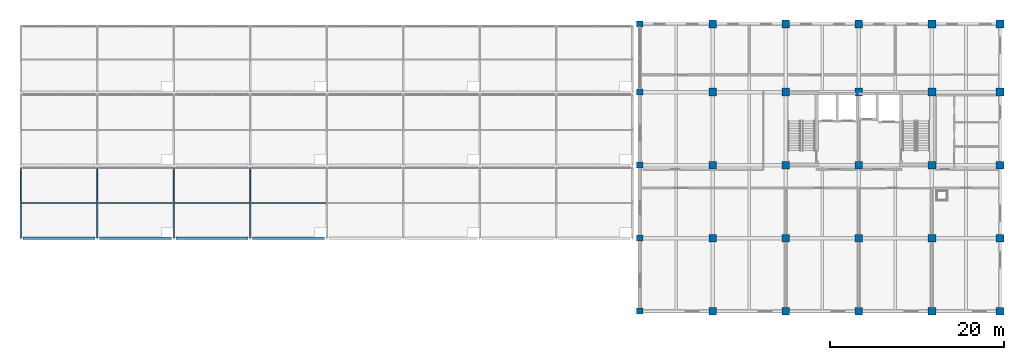
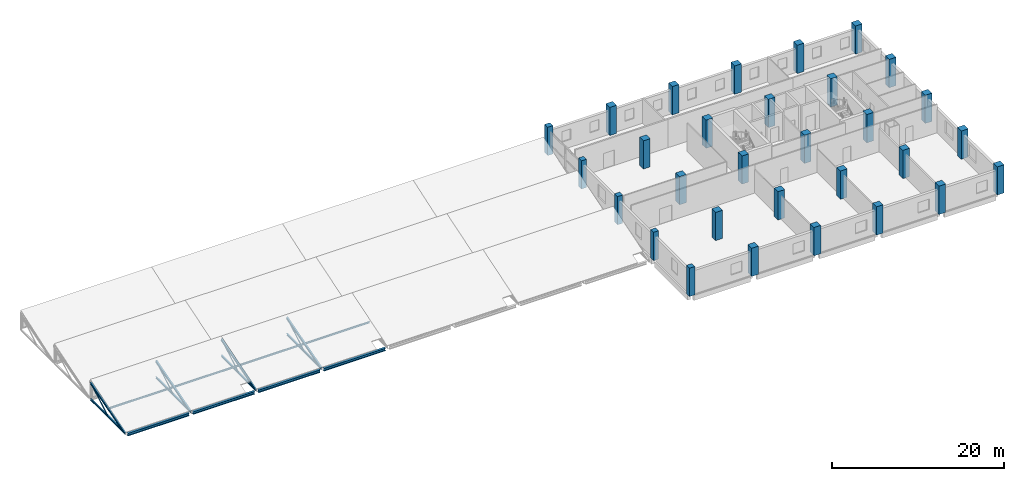
# One storey, part 1 of 40: 30 columns, 16 members, 4 beams.
"""IFC4 building model written with IfcOpenShell, lengths in metres."""

from ifc_helpers import new_model, si_unit, direction, frame, origin, origin_2d, place, context, subcontext, project, spatial, rectangle, hollow_rectangle, i_section, extrude, material, material_profile, profile_set, type_object, element, save


model = new_model("IFC4")

# Units and contexts
model_context = context("Model", 3, precision=1e-05, world=origin(), true_north=direction((0.0, 1.0)))
body_context = subcontext(model_context, "Body", "Model", "MODEL_VIEW")
ifc_project = project(units=[si_unit("LENGTHUNIT", "METRE"), si_unit("AREAUNIT", "SQUARE_METRE"), si_unit("VOLUMEUNIT", "CUBIC_METRE"), si_unit("PLANEANGLEUNIT", "RADIAN"), si_unit("MASSUNIT", "GRAM", prefix="KILO")], contexts=[model_context])

# Site, building, storey
site_placement = place(None, origin())
site = spatial("IfcSite", under=ifc_project, at=site_placement, CompositionType="ELEMENT")
building_placement = place(site_placement, origin())
building = spatial("IfcBuilding", under=site, at=building_placement, Name="Brinegate Botanical Conservatory", CompositionType="ELEMENT")
storey_placement = place(building_placement, frame((0.0, 0.0, 19.199951171875)))
storey = spatial("IfcBuildingStorey", under=building, at=storey_placement, Name="L05", CompositionType="ELEMENT", Elevation=19.199951171875)

# Columns
ifc_material_1 = material(Name="Concrete C50/60", Category="concrete")
ifc_material_profile_1 = material_profile(ifc_material_1, rectangle(XDim=0.699951171875, YDim=0.699951171875, at=origin_2d()), Name="RC COL 700x700")
ifc_profile_set_1 = profile_set([ifc_material_profile_1], Name="Concrete C50/60")
column_type_1 = type_object("IfcColumnType", Name="Col_C-JT", PredefinedType="COLUMN", material=ifc_profile_set_1)
for number, where, z_axis, x_axis, name in (
    (1, (122.0, 78.39990234375, 0.0), (0.0, 0.0, 1.0), (1.0, 0.0, 0.0), "Column C-JT L05 K-16"),
    (2, (122.0, 86.800048828125, 0.0), (0.0, 0.0, 1.0), (1.0, 0.0, 0.0), "Column C-JT L05 L-16"),
    (3, (122.0, 95.199951171875, 0.0), (0.0, 0.0, 1.0), (1.0, 0.0, 0.0), "Column C-JT L05 M-16"),
    (4, (122.0, 103.60009765625, 0.0), (0.0, 0.0, 1.0), (1.0, 0.0, 0.0), "Column C-JT L05 N-16"),
    (5, (122.0, 111.449951171875, 0.0), (0.0, 0.0, 1.0), (1.0, 0.0, 0.0), "Column C-JT L05 P-16"),
):
    element("IfcColumn", number, at=place(storey_placement, frame(where, z_axis=z_axis, x_axis=x_axis)), inside=storey, type_object=column_type_1, Name=name, PredefinedType="COLUMN", context=body_context, shape_type="SweptSolid", body=[
        extrude(rectangle(XDim=0.699951171875, YDim=0.699951171875, at=origin_2d()), origin(), (0.0, 0.0, 1.0), 4.02001953125),
    ])
ifc_material_profile_2 = material_profile(ifc_material_1, rectangle(XDim=0.89990234375, YDim=0.89990234375, at=origin_2d()), Name="RC COL 900x900")
ifc_profile_set_2 = profile_set([ifc_material_profile_2], Name="Concrete C50/60")
column_type_2 = type_object("IfcColumnType", Name="Col_C-T2", PredefinedType="COLUMN", material=ifc_profile_set_2)
for number, where, z_axis, x_axis, name in (
    (6, (130.39990234375, 78.39990234375, 0.0), (0.0, 0.0, 1.0), (1.0, 0.0, 0.0), "Column C-T2 L05 K-17"),
    (7, (130.39990234375, 86.800048828125, 0.0), (0.0, 0.0, 1.0), (1.0, 0.0, 0.0), "Column C-T2 L05 L-17"),
    (8, (130.39990234375, 95.199951171875, 0.0), (0.0, 0.0, 1.0), (1.0, 0.0, 0.0), "Column C-T2 L05 M-17"),
    (9, (130.39990234375, 103.60009765625, 0.0), (0.0, 0.0, 1.0), (1.0, 0.0, 0.0), "Column C-T2 L05 N-17"),
    (10, (130.39990234375, 111.449951171875, 0.0), (0.0, 0.0, 1.0), (1.0, 0.0, 0.0), "Column C-T2 L05 P-17"),
    (11, (138.800048828125, 78.39990234375, 0.0), (0.0, 0.0, 1.0), (1.0, 0.0, 0.0), "Column C-T2 L05 K-18"),
    (12, (138.800048828125, 86.800048828125, 0.0), (0.0, 0.0, 1.0), (1.0, 0.0, 0.0), "Column C-T2 L05 L-18"),
    (13, (138.800048828125, 95.199951171875, 0.0), (0.0, 0.0, 1.0), (1.0, 0.0, 0.0), "Column C-T2 L05 M-18"),
    (14, (138.800048828125, 103.60009765625, 0.0), (0.0, 0.0, 1.0), (1.0, 0.0, 0.0), "Column C-T2 L05 N-18"),
    (15, (138.800048828125, 111.449951171875, 0.0), (0.0, 0.0, 1.0), (1.0, 0.0, 0.0), "Column C-T2 L05 P-18"),
    (16, (147.199951171875, 78.39990234375, 0.0), (0.0, 0.0, 1.0), (1.0, 0.0, 0.0), "Column C-T2 L05 K-19"),
    (17, (147.199951171875, 86.800048828125, 0.0), (0.0, 0.0, 1.0), (1.0, 0.0, 0.0), "Column C-T2 L05 L-19"),
    (18, (147.199951171875, 95.199951171875, 0.0), (0.0, 0.0, 1.0), (1.0, 0.0, 0.0), "Column C-T2 L05 M-19"),
    (19, (147.199951171875, 103.60009765625, 0.0), (0.0, 0.0, 1.0), (1.0, 0.0, 0.0), "Column C-T2 L05 N-19"),
    (20, (147.199951171875, 111.449951171875, 0.0), (0.0, 0.0, 1.0), (1.0, 0.0, 0.0), "Column C-T2 L05 P-19"),
    (21, (155.60009765625, 78.39990234375, 0.0), (0.0, 0.0, 1.0), (1.0, 0.0, 0.0), "Column C-T2 L05 K-20"),
    (22, (155.60009765625, 86.800048828125, 0.0), (0.0, 0.0, 1.0), (1.0, 0.0, 0.0), "Column C-T2 L05 L-20"),
    (23, (155.60009765625, 95.199951171875, 0.0), (0.0, 0.0, 1.0), (1.0, 0.0, 0.0), "Column C-T2 L05 M-20"),
    (24, (155.60009765625, 103.60009765625, 0.0), (0.0, 0.0, 1.0), (1.0, 0.0, 0.0), "Column C-T2 L05 N-20"),
    (25, (155.60009765625, 111.449951171875, 0.0), (0.0, 0.0, 1.0), (1.0, 0.0, 0.0), "Column C-T2 L05 P-20"),
    (26, (163.449951171875, 78.39990234375, 0.0), (0.0, 0.0, 1.0), (1.0, 0.0, 0.0), "Column C-T2 L05 K-21"),
    (27, (163.449951171875, 86.800048828125, 0.0), (0.0, 0.0, 1.0), (1.0, 0.0, 0.0), "Column C-T2 L05 L-21"),
    (28, (163.449951171875, 95.199951171875, 0.0), (0.0, 0.0, 1.0), (1.0, 0.0, 0.0), "Column C-T2 L05 M-21"),
    (29, (163.449951171875, 103.60009765625, 0.0), (0.0, 0.0, 1.0), (1.0, 0.0, 0.0), "Column C-T2 L05 N-21"),
    (30, (163.449951171875, 111.449951171875, 0.0), (0.0, 0.0, 1.0), (1.0, 0.0, 0.0), "Column C-T2 L05 P-21"),
):
    element("IfcColumn", number, at=place(storey_placement, frame(where, z_axis=z_axis, x_axis=x_axis)), inside=storey, type_object=column_type_2, Name=name, PredefinedType="COLUMN", context=body_context, shape_type="SweptSolid", body=[
        extrude(rectangle(XDim=0.89990234375, YDim=0.89990234375, at=origin_2d()), origin(), (0.0, 0.0, 1.0), 4.02001953125),
    ])

# Beams
ifc_material_2 = material(Name="Structural steel Q355B / S355", Category="steel")
ifc_material_profile_3 = material_profile(ifc_material_2, i_section(OverallWidth=0.300048828125, OverallDepth=0.389892578125, WebThickness=0.010009765625, FlangeThickness=0.01611328125, at=origin_2d()), Name="HM 390x300x10x16")
ifc_profile_set_3 = profile_set([ifc_material_profile_3], Name="Structural steel Q355B / S355")
beam_type = type_object("IfcBeamType", Name="Beam_BM-S5", PredefinedType="BEAM", material=ifc_profile_set_3)
beam_1_placement = place(storey_placement, frame((51.050048828125, 86.800048828125, -0.179931640625), z_axis=(1.0, 0.0, 0.0), x_axis=(0.0, 1.0, 0.0)))
element("IfcBeam", 31, at=beam_1_placement, inside=storey, type_object=beam_type, Name="Sawtooth valley girder BM-S5 B1.1", PredefinedType="BEAM", context=body_context, shape_type="SweptSolid", body=[
    extrude(i_section(OverallWidth=0.300048828125, OverallDepth=0.389892578125, WebThickness=0.010009765625, FlangeThickness=0.01611328125, at=origin_2d()), origin(), (0.0, 0.0, 1.0), 8.300048828125),
])
beam_2_placement = place(storey_placement, frame((59.85009765625, 86.800048828125, -0.179931640625), z_axis=(1.0, 0.0, 0.0), x_axis=(0.0, 1.0, 0.0)))
element("IfcBeam", 32, at=beam_2_placement, inside=storey, type_object=beam_type, Name="Sawtooth valley girder BM-S5 B1.2", PredefinedType="BEAM", context=body_context, shape_type="SweptSolid", body=[
    extrude(i_section(OverallWidth=0.300048828125, OverallDepth=0.389892578125, WebThickness=0.010009765625, FlangeThickness=0.01611328125, at=origin_2d()), origin(), (0.0, 0.0, 1.0), 8.2998046875),
])
for number, where, z_axis, x_axis, name in (
    (33, (68.64990234375, 86.800048828125, -0.179931640625), (1.0, 0.0, 0.0), (0.0, 1.0, 0.0), "Sawtooth valley girder BM-S5 B1.3"),
    (34, (77.449951171875, 86.800048828125, -0.179931640625), (1.0, 0.0, 0.0), (0.0, 1.0, 0.0), "Sawtooth valley girder BM-S5 B1.4"),
):
    element("IfcBeam", number, at=place(storey_placement, frame(where, z_axis=z_axis, x_axis=x_axis)), inside=storey, type_object=beam_type, Name=name, PredefinedType="BEAM", context=body_context, shape_type="SweptSolid", body=[
        extrude(i_section(OverallWidth=0.300048828125, OverallDepth=0.389892578125, WebThickness=0.010009765625, FlangeThickness=0.01611328125, at=origin_2d()), origin(), (0.0, 0.0, 1.0), 8.300048828125),
    ])

# Members
ifc_material_profile_4 = material_profile(ifc_material_2, hollow_rectangle(XDim=0.080078125, YDim=0.159912109375, WallThickness=0.006103515625, at=origin_2d()), Name="RHS 160x80x6")
ifc_profile_set_4 = profile_set([ifc_material_profile_4], Name="Structural steel Q355B / S355")
member_type_1 = type_object("IfcMemberType", Name="Member_SB-01", PredefinedType="BRACE", material=ifc_profile_set_4)
for number, where, z_axis, x_axis, name in (
    (35, (50.800048828125, 90.85009765625, 0.02001953125), (0.0, 0.866773050219, 0.498702796678), (-1.0, 0.0, 0.0), "Sawtooth web diagonal SB-01 B1.T1"),
    (36, (59.60009765625, 90.85009765625, 0.02001953125), (0.0, 0.866773050219, 0.498702796678), (-1.0, 0.0, 0.0), "Sawtooth web diagonal SB-01 B1.T2"),
    (37, (68.39990234375, 90.85009765625, 0.02001953125), (0.0, 0.866773050219, 0.498702796678), (-1.0, 0.0, 0.0), "Sawtooth web diagonal SB-01 B1.T3"),
    (38, (77.199951171875, 90.85009765625, 0.02001953125), (0.0, 0.866773050219, 0.498702796678), (-1.0, 0.0, 0.0), "Sawtooth web diagonal SB-01 B1.T4"),
):
    element("IfcMember", number, at=place(storey_placement, frame(where, z_axis=z_axis, x_axis=x_axis)), inside=storey, type_object=member_type_1, Name=name, PredefinedType="BRACE", context=body_context, shape_type="SweptSolid", body=[
        extrude(hollow_rectangle(XDim=0.080078125, YDim=0.159912109375, WallThickness=0.006103515625, at=origin_2d()), origin(), (0.0, 0.0, 1.0), 4.67236328125),
    ])
ifc_material_profile_5 = material_profile(ifc_material_2, i_section(OverallWidth=0.199951171875, OverallDepth=0.2939453125, WebThickness=0.008056640625, FlangeThickness=0.011962890625, at=origin_2d()), Name="HM 294x200x8x12")
ifc_profile_set_5 = profile_set([ifc_material_profile_5], Name="Structural steel Q355B / S355")
member_type_2 = type_object("IfcMemberType", Name="Member_SC-01", PredefinedType="CHORD", material=ifc_profile_set_5)
for number, where, z_axis, x_axis, name in (
    (39, (50.800048828125, 86.800048828125, 0.02001953125), (0.0, 0.961026120246, 0.276457584822), (-1.0, 0.0, 0.0), "Sawtooth rafter chord SC-01 B1.T1"),
    (40, (59.60009765625, 86.800048828125, 0.02001953125), (0.0, 0.961026120246, 0.276457584822), (-1.0, 0.0, 0.0), "Sawtooth rafter chord SC-01 B1.T2"),
    (41, (68.39990234375, 86.800048828125, 0.02001953125), (0.0, 0.961026120246, 0.276457584822), (-1.0, 0.0, 0.0), "Sawtooth rafter chord SC-01 B1.T3"),
    (42, (77.199951171875, 86.800048828125, 0.02001953125), (0.0, 0.961026120246, 0.276457584822), (-1.0, 0.0, 0.0), "Sawtooth rafter chord SC-01 B1.T4"),
):
    element("IfcMember", number, at=place(storey_placement, frame(where, z_axis=z_axis, x_axis=x_axis)), inside=storey, type_object=member_type_2, Name=name, PredefinedType="CHORD", context=body_context, shape_type="SweptSolid", body=[
        extrude(i_section(OverallWidth=0.199951171875, OverallDepth=0.2939453125, WebThickness=0.008056640625, FlangeThickness=0.011962890625, at=origin_2d()), origin(), (0.0, 0.0, 1.0), 8.42822265625),
    ])
ifc_material_profile_6 = material_profile(ifc_material_2, i_section(OverallWidth=0.175048828125, OverallDepth=0.243896484375, WebThickness=0.007080078125, FlangeThickness=0.010986328125, at=origin_2d()), Name="HM 244x175x7x11")
ifc_profile_set_6 = profile_set([ifc_material_profile_6], Name="Structural steel Q355B / S355")
member_type_3 = type_object("IfcMemberType", Name="Member_SC-02", PredefinedType="CHORD", material=ifc_profile_set_6)
for number, where, z_axis, x_axis, name in (
    (43, (50.800048828125, 86.800048828125, 0.02001953125), (0.0, 1.0, 0.0), (-1.0, 0.0, 0.0), "Sawtooth bottom tie SC-02 B1.T1"),
    (44, (59.60009765625, 86.800048828125, 0.02001953125), (0.0, 1.0, 0.0), (-1.0, 0.0, 0.0), "Sawtooth bottom tie SC-02 B1.T2"),
    (45, (68.39990234375, 86.800048828125, 0.02001953125), (0.0, 1.0, 0.0), (-1.0, 0.0, 0.0), "Sawtooth bottom tie SC-02 B1.T3"),
    (46, (77.199951171875, 86.800048828125, 0.02001953125), (0.0, 1.0, 0.0), (-1.0, 0.0, 0.0), "Sawtooth bottom tie SC-02 B1.T4"),
):
    element("IfcMember", number, at=place(storey_placement, frame(where, z_axis=z_axis, x_axis=x_axis)), inside=storey, type_object=member_type_3, Name=name, PredefinedType="CHORD", context=body_context, shape_type="SweptSolid", body=[
        extrude(i_section(OverallWidth=0.175048828125, OverallDepth=0.243896484375, WebThickness=0.007080078125, FlangeThickness=0.010986328125, at=origin_2d()), origin(), (0.0, 0.0, 1.0), 8.099853515625),
    ])
ifc_material_profile_7 = material_profile(ifc_material_2, i_section(OverallWidth=0.125, OverallDepth=0.25, WebThickness=0.006103515625, FlangeThickness=0.009033203125, at=origin_2d()), Name="HN 250x125x6x9")
ifc_profile_set_7 = profile_set([ifc_material_profile_7], Name="Structural steel Q355B / S355")
member_type_4 = type_object("IfcMemberType", Name="Member_SPU-01", PredefinedType="PURLIN", material=ifc_profile_set_7)
member_1_placement = place(storey_placement, frame((50.800048828125, 90.85009765625, 1.094970703125), z_axis=(1.0, 0.0, 0.0), x_axis=(0.0, 1.0, 0.0)))
element("IfcMember", 47, at=member_1_placement, inside=storey, type_object=member_type_4, Name="Sawtooth roof purlin SPU-01 B1.1", PredefinedType="PURLIN", context=body_context, shape_type="SweptSolid", body=[
    extrude(i_section(OverallWidth=0.125, OverallDepth=0.25, WebThickness=0.006103515625, FlangeThickness=0.009033203125, at=origin_2d()), origin(), (0.0, 0.0, 1.0), 8.800048828125),
])
member_2_placement = place(storey_placement, frame((59.60009765625, 90.85009765625, 1.094970703125), z_axis=(1.0, 0.0, 0.0), x_axis=(0.0, 1.0, 0.0)))
element("IfcMember", 48, at=member_2_placement, inside=storey, type_object=member_type_4, Name="Sawtooth roof purlin SPU-01 B1.2", PredefinedType="PURLIN", context=body_context, shape_type="SweptSolid", body=[
    extrude(i_section(OverallWidth=0.125, OverallDepth=0.25, WebThickness=0.006103515625, FlangeThickness=0.009033203125, at=origin_2d()), origin(), (0.0, 0.0, 1.0), 8.7998046875),
])
for number, where, z_axis, x_axis, name in (
    (49, (68.39990234375, 90.85009765625, 1.094970703125), (1.0, 0.0, 0.0), (0.0, 1.0, 0.0), "Sawtooth roof purlin SPU-01 B1.3"),
    (50, (77.199951171875, 90.85009765625, 1.094970703125), (1.0, 0.0, 0.0), (0.0, 1.0, 0.0), "Sawtooth roof purlin SPU-01 B1.4"),
):
    element("IfcMember", number, at=place(storey_placement, frame(where, z_axis=z_axis, x_axis=x_axis)), inside=storey, type_object=member_type_4, Name=name, PredefinedType="PURLIN", context=body_context, shape_type="SweptSolid", body=[
        extrude(i_section(OverallWidth=0.125, OverallDepth=0.25, WebThickness=0.006103515625, FlangeThickness=0.009033203125, at=origin_2d()), origin(), (0.0, 0.0, 1.0), 8.800048828125),
    ])

save(model, "model.ifc")
